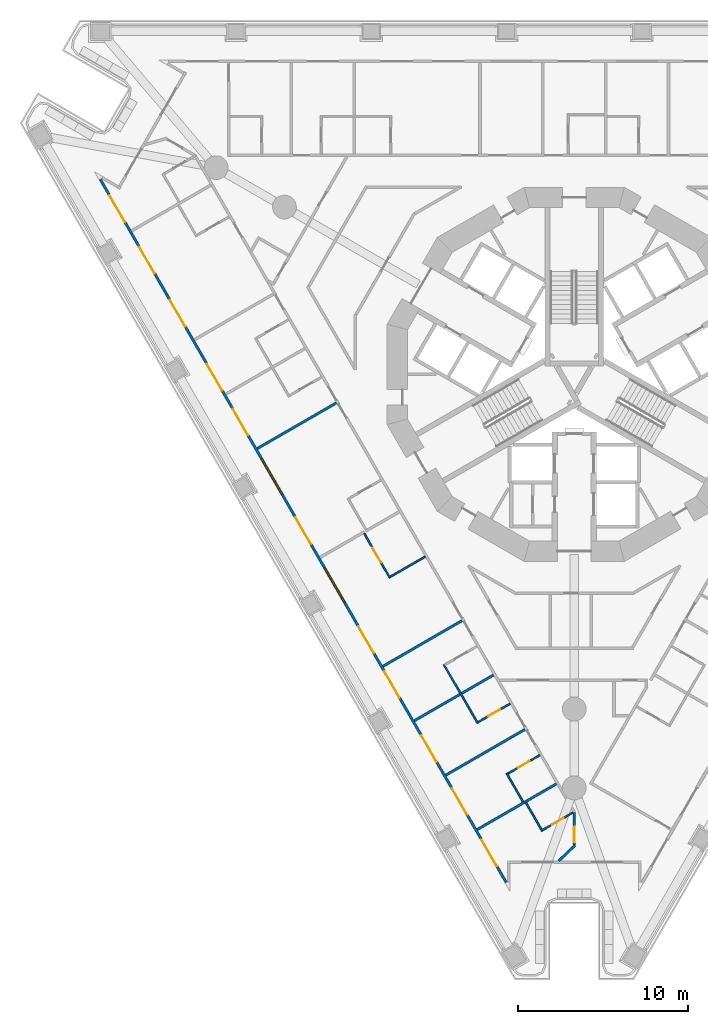
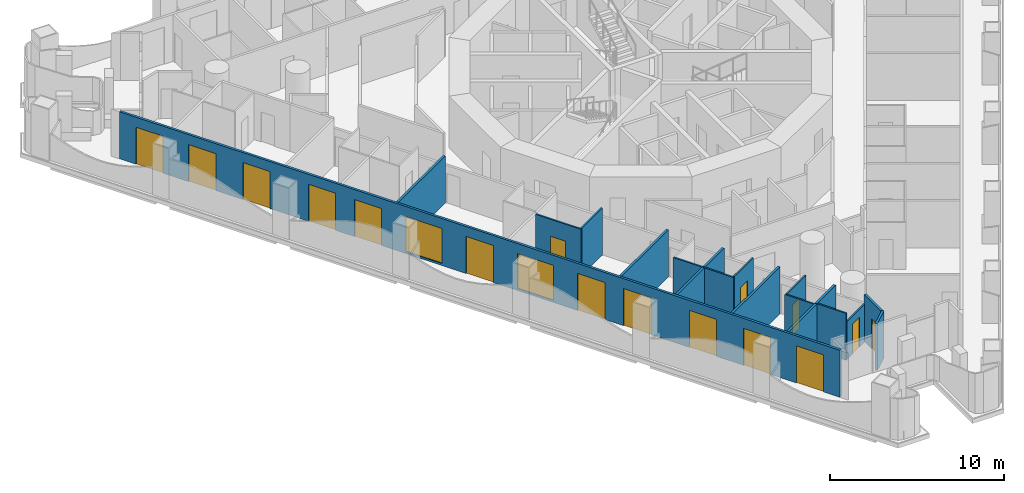
# One storey, part 2 of 20: 17 walls, 16 doors, 2 windows, 18 openings.
"""IFC4 building model written with IfcOpenShell, lengths in metres."""

from ifc_helpers import new_model, si_unit, direction, frame, frame_2d, origin, place, context, subcontext, project, spatial, polyline, rectangle, outline, extrude, material, layer, layer_set, type_object, element, fill, save


model = new_model("IFC4")

# Units and contexts
model_context = context("Model", 3, precision=1e-05, world=origin(), true_north=direction((0.0, 1.0)))
body_context = subcontext(model_context, "Body", "Model", "MODEL_VIEW")
ifc_project = project(units=[si_unit("LENGTHUNIT", "METRE"), si_unit("AREAUNIT", "SQUARE_METRE"), si_unit("VOLUMEUNIT", "CUBIC_METRE"), si_unit("PLANEANGLEUNIT", "RADIAN"), si_unit("MASSUNIT", "GRAM", prefix="KILO")], contexts=[model_context])

# Site, building, storey
site_placement = place(None, origin())
site = spatial("IfcSite", under=ifc_project, at=site_placement, CompositionType="ELEMENT")
building_placement = place(site_placement, origin())
building = spatial("IfcBuilding", under=site, at=building_placement, Name="Trine Commons Tower", CompositionType="ELEMENT")
storey_placement = place(building_placement, frame((0.0, 0.0, 35.10009765625)))
storey = spatial("IfcBuildingStorey", under=building, at=storey_placement, Name="L07", CompositionType="ELEMENT", Elevation=35.10009765625)

# Wall, openings, windows, doors
ifc_material_1 = material(Name="Aluminium-framed insulated wall panel", Category="aluminium")
ifc_layer_1 = layer(ifc_material_1, 0.14990234375)
ifc_layer_set_1 = layer_set([ifc_layer_1], Name="Aluminium-framed insulated wall panel")
wall_type_1 = type_object("IfcWallType", Name="Glazed frame wall 150, EI 60", PredefinedType="SOLIDWALL", material=ifc_layer_set_1)
wall_1_placement = place(storey_placement, frame((76.069580078125, 32.46826171875, 0.0), z_axis=(0.0, 0.0, 1.0), x_axis=(-0.499998600735, 0.866026211649, 0.0)))
wall_1 = element("IfcWall", 1, at=wall_1_placement, inside=storey, type_object=wall_type_1, Name="Glazed frame wall F3", PredefinedType="SOLIDWALL", context=body_context, shape_type="SweptSolid", body=[
    extrude(outline(polyline([(0.1494140625, 0.074951171875), (0.1494140625, -0.074951171875), (47.93701171875, -0.074951171875), (47.93701171875, 0.074951171875), (0.1494140625, 0.074951171875)])), origin(), (0.0, 0.0, 1.0), 3.2998046875),
])
opening_1_placement = place(wall_1_placement, frame((1.24951171875, 0.0, 0.0)))
opening_1 = element("IfcOpeningElement", 2, at=opening_1_placement, cuts=wall_1, Name="Opening BD-1F3-01", PredefinedType="OPENING", context=body_context, shape_type="SweptSolid", body=[
    extrude(rectangle(XDim=1.800048828125, YDim=2.60009765625, at=frame_2d((0.89990234375, 1.300048828125))), frame((0.0, 0.0849609375, 0.0), z_axis=(0.0, -1.0, 0.0), x_axis=(1.0, 0.0, 0.0)), (0.0, 0.0, 1.0), 0.169921875),
])
opening_2_placement = place(wall_1_placement, frame((4.748291015625, 0.0, 0.0)))
opening_2 = element("IfcOpeningElement", 3, at=opening_2_placement, cuts=wall_1, Name="Opening BD-1F3-02", PredefinedType="OPENING", context=body_context, shape_type="SweptSolid", body=[
    extrude(rectangle(XDim=1.800048828125, YDim=2.60009765625, at=frame_2d((0.89990234375, 1.300048828125))), frame((0.0, 0.0849609375, 0.0), z_axis=(0.0, -1.0, 0.0), x_axis=(1.0, 0.0, 0.0)), (0.0, 0.0, 1.0), 0.169921875),
])
opening_3_placement = place(wall_1_placement, frame((8.347412109375, 0.0, 0.0)))
opening_3 = element("IfcOpeningElement", 4, at=opening_3_placement, cuts=wall_1, Name="Opening BD-1F3-03", PredefinedType="OPENING", context=body_context, shape_type="SweptSolid", body=[
    extrude(rectangle(XDim=1.800048828125, YDim=2.60009765625, at=frame_2d((0.89990234375, 1.300048828125))), frame((0.0, 0.0849609375, 0.0), z_axis=(0.0, -1.0, 0.0), x_axis=(1.0, 0.0, 0.0)), (0.0, 0.0, 1.0), 0.169921875),
])
opening_4_placement = place(wall_1_placement, frame((12.69580078125, 0.0, 0.0)))
opening_4 = element("IfcOpeningElement", 5, at=opening_4_placement, cuts=wall_1, Name="Opening BD-1F3-04", PredefinedType="OPENING", context=body_context, shape_type="SweptSolid", body=[
    extrude(rectangle(XDim=1.800048828125, YDim=2.60009765625, at=frame_2d((0.89990234375, 1.300048828125))), frame((0.0, 0.0849609375, 0.0), z_axis=(0.0, -1.0, 0.0), x_axis=(1.0, 0.0, 0.0)), (0.0, 0.0, 1.0), 0.169921875),
])
opening_5_placement = place(wall_1_placement, frame((15.7451171875, 0.0, 0.0)))
opening_5 = element("IfcOpeningElement", 6, at=opening_5_placement, cuts=wall_1, Name="Opening BD-1F3-05", PredefinedType="OPENING", context=body_context, shape_type="SweptSolid", body=[
    extrude(rectangle(XDim=1.800048828125, YDim=2.60009765625, at=frame_2d((0.89990234375, 1.300048828125))), frame((0.0, 0.0849609375, 0.0), z_axis=(0.0, -1.0, 0.0), x_axis=(1.0, 0.0, 0.0)), (0.0, 0.0, 1.0), 0.169921875),
])
opening_6_placement = place(wall_1_placement, frame((19.14404296875, 0.0, 0.14990234375)))
opening_6 = element("IfcOpeningElement", 7, at=opening_6_placement, cuts=wall_1, Name="Opening W-1F3-06", PredefinedType="OPENING", context=body_context, shape_type="SweptSolid", body=[
    extrude(rectangle(XDim=2.39990234375, YDim=2.449951171875, at=frame_2d((1.199951171875, 1.22509765625))), frame((0.0, 0.0849609375, 0.0), z_axis=(0.0, -1.0, 0.0), x_axis=(1.0, 0.0, 0.0)), (0.0, 0.0, 1.0), 0.169921875),
])
opening_7_placement = place(wall_1_placement, frame((23.142822265625, 0.0, 0.0)))
opening_7 = element("IfcOpeningElement", 8, at=opening_7_placement, cuts=wall_1, Name="Opening BD-1F3-07", PredefinedType="OPENING", context=body_context, shape_type="SweptSolid", body=[
    extrude(rectangle(XDim=1.800048828125, YDim=2.60009765625, at=frame_2d((0.89990234375, 1.300048828125))), frame((0.0, 0.0849609375, 0.0), z_axis=(0.0, -1.0, 0.0), x_axis=(1.0, 0.0, 0.0)), (0.0, 0.0, 1.0), 0.169921875),
])
opening_8_placement = place(wall_1_placement, frame((26.541748046875, 0.0, 0.14990234375)))
opening_8 = element("IfcOpeningElement", 9, at=opening_8_placement, cuts=wall_1, Name="Opening W-1F3-08", PredefinedType="OPENING", context=body_context, shape_type="SweptSolid", body=[
    extrude(rectangle(XDim=2.39990234375, YDim=2.449951171875, at=frame_2d((1.199951171875, 1.22509765625))), frame((0.0, 0.0849609375, 0.0), z_axis=(0.0, -1.0, 0.0), x_axis=(1.0, 0.0, 0.0)), (0.0, 0.0, 1.0), 0.169921875),
])
opening_9_placement = place(wall_1_placement, frame((30.54052734375, 0.0, 0.0)))
opening_9 = element("IfcOpeningElement", 10, at=opening_9_placement, cuts=wall_1, Name="Opening BD-1F3-09", PredefinedType="OPENING", context=body_context, shape_type="SweptSolid", body=[
    extrude(rectangle(XDim=1.800048828125, YDim=2.60009765625, at=frame_2d((0.89990234375, 1.300048828125))), frame((0.0, 0.0849609375, 0.0), z_axis=(0.0, -1.0, 0.0), x_axis=(1.0, 0.0, 0.0)), (0.0, 0.0, 1.0), 0.169921875),
])
opening_10_placement = place(wall_1_placement, frame((33.590087890625, 0.0, 0.0)))
opening_10 = element("IfcOpeningElement", 11, at=opening_10_placement, cuts=wall_1, Name="Opening BD-1F3-10", PredefinedType="OPENING", context=body_context, shape_type="SweptSolid", body=[
    extrude(rectangle(XDim=1.800048828125, YDim=2.60009765625, at=frame_2d((0.89990234375, 1.300048828125))), frame((0.0, 0.0849609375, 0.0), z_axis=(0.0, -1.0, 0.0), x_axis=(1.0, 0.0, 0.0)), (0.0, 0.0, 1.0), 0.169921875),
])
opening_11_placement = place(wall_1_placement, frame((37.9384765625, 0.0, 0.0)))
opening_11 = element("IfcOpeningElement", 12, at=opening_11_placement, cuts=wall_1, Name="Opening BD-1F3-11", PredefinedType="OPENING", context=body_context, shape_type="SweptSolid", body=[
    extrude(rectangle(XDim=1.800048828125, YDim=2.60009765625, at=frame_2d((0.89990234375, 1.300048828125))), frame((0.0, 0.0849609375, 0.0), z_axis=(0.0, -1.0, 0.0), x_axis=(1.0, 0.0, 0.0)), (0.0, 0.0, 1.0), 0.169921875),
])
opening_12_placement = place(wall_1_placement, frame((41.537353515625, 0.0, 0.0)))
opening_12 = element("IfcOpeningElement", 13, at=opening_12_placement, cuts=wall_1, Name="Opening BD-1F3-12", PredefinedType="OPENING", context=body_context, shape_type="SweptSolid", body=[
    extrude(rectangle(XDim=1.800048828125, YDim=2.60009765625, at=frame_2d((0.89990234375, 1.300048828125))), frame((0.0, 0.0849609375, 0.0), z_axis=(0.0, -1.0, 0.0), x_axis=(1.0, 0.0, 0.0)), (0.0, 0.0, 1.0), 0.169921875),
])
opening_13_placement = place(wall_1_placement, frame((45.036376953125, 0.0, 0.0)))
opening_13 = element("IfcOpeningElement", 14, at=opening_13_placement, cuts=wall_1, Name="Opening BD-1F3-13", PredefinedType="OPENING", context=body_context, shape_type="SweptSolid", body=[
    extrude(rectangle(XDim=1.800048828125, YDim=2.60009765625, at=frame_2d((0.89990234375, 1.300048828125))), frame((0.0, 0.0849609375, 0.0), z_axis=(0.0, -1.0, 0.0), x_axis=(1.0, 0.0, 0.0)), (0.0, 0.0, 1.0), 0.169921875),
])
ifc_material_2 = material(Name="Anodised aluminium frame with double glazing", Category="aluminium")
window_type = type_object("IfcWindowType", Name="Fixed window 2400x2450", PartitioningType="SINGLE_PANEL", PredefinedType="WINDOW", material=ifc_material_2)
window_1_placement = place(opening_6_placement, origin())
window_1 = element("IfcWindow", 15, at=window_1_placement, inside=storey, type_object=window_type, Name="Window F3 6", OverallHeight=2.449951171875, OverallWidth=2.39990234375, PartitioningType="SINGLE_PANEL", PredefinedType="WINDOW", context=body_context, shape_type="SweptSolid", body=[
    extrude(rectangle(XDim=2.39990234375, YDim=2.449951171875, at=frame_2d((1.199951171875, 1.22509765625))), frame((0.0, 0.030029296875, 0.0), z_axis=(0.0, -1.0, 0.0), x_axis=(1.0, 0.0, 0.0)), (0.0, 0.0, 1.0), 0.06005859375),
])
fill(opening_6, window_1)
window_2_placement = place(opening_8_placement, origin())
window_2 = element("IfcWindow", 16, at=window_2_placement, inside=storey, type_object=window_type, Name="Window F3 8", OverallHeight=2.449951171875, OverallWidth=2.39990234375, PartitioningType="SINGLE_PANEL", PredefinedType="WINDOW", context=body_context, shape_type="SweptSolid", body=[
    extrude(rectangle(XDim=2.39990234375, YDim=2.449951171875, at=frame_2d((1.199951171875, 1.22509765625))), frame((0.0, 0.030029296875, 0.0), z_axis=(0.0, -1.0, 0.0), x_axis=(1.0, 0.0, 0.0)), (0.0, 0.0, 1.0), 0.06005859375),
])
fill(opening_8, window_2)
door_type_1 = type_object("IfcDoorType", Name="Sliding loggia door 1800x2600", OperationType="SLIDING_TO_LEFT", PredefinedType="DOOR", material=ifc_material_2)
door_1_placement = place(opening_1_placement, origin())
door_1 = element("IfcDoor", 17, at=door_1_placement, inside=storey, type_object=door_type_1, Name="Loggia door F3 1", OperationType="SLIDING_TO_LEFT", OverallHeight=2.60009765625, OverallWidth=1.800048828125, PredefinedType="DOOR", context=body_context, shape_type="SweptSolid", body=[
    extrude(rectangle(XDim=1.800048828125, YDim=2.60009765625, at=frame_2d((0.89990234375, 1.300048828125))), frame((0.0, 0.02490234375, 0.0), z_axis=(0.0, -1.0, 0.0), x_axis=(1.0, 0.0, 0.0)), (0.0, 0.0, 1.0), 0.050048828125),
])
fill(opening_1, door_1)
door_2_placement = place(opening_2_placement, origin())
door_2 = element("IfcDoor", 18, at=door_2_placement, inside=storey, type_object=door_type_1, Name="Loggia door F3 2", OperationType="SLIDING_TO_LEFT", OverallHeight=2.60009765625, OverallWidth=1.800048828125, PredefinedType="DOOR", context=body_context, shape_type="SweptSolid", body=[
    extrude(rectangle(XDim=1.800048828125, YDim=2.60009765625, at=frame_2d((0.89990234375, 1.300048828125))), frame((0.0, 0.02490234375, 0.0), z_axis=(0.0, -1.0, 0.0), x_axis=(1.0, 0.0, 0.0)), (0.0, 0.0, 1.0), 0.050048828125),
])
fill(opening_2, door_2)
door_3_placement = place(opening_3_placement, origin())
door_3 = element("IfcDoor", 19, at=door_3_placement, inside=storey, type_object=door_type_1, Name="Loggia door F3 3", OperationType="SLIDING_TO_LEFT", OverallHeight=2.60009765625, OverallWidth=1.800048828125, PredefinedType="DOOR", context=body_context, shape_type="SweptSolid", body=[
    extrude(rectangle(XDim=1.800048828125, YDim=2.60009765625, at=frame_2d((0.89990234375, 1.300048828125))), frame((0.0, 0.02490234375, 0.0), z_axis=(0.0, -1.0, 0.0), x_axis=(1.0, 0.0, 0.0)), (0.0, 0.0, 1.0), 0.050048828125),
])
fill(opening_3, door_3)
door_4_placement = place(opening_4_placement, origin())
door_4 = element("IfcDoor", 20, at=door_4_placement, inside=storey, type_object=door_type_1, Name="Loggia door F3 4", OperationType="SLIDING_TO_LEFT", OverallHeight=2.60009765625, OverallWidth=1.800048828125, PredefinedType="DOOR", context=body_context, shape_type="SweptSolid", body=[
    extrude(rectangle(XDim=1.800048828125, YDim=2.60009765625, at=frame_2d((0.89990234375, 1.300048828125))), frame((0.0, 0.02490234375, 0.0), z_axis=(0.0, -1.0, 0.0), x_axis=(1.0, 0.0, 0.0)), (0.0, 0.0, 1.0), 0.050048828125),
])
fill(opening_4, door_4)
door_5_placement = place(opening_5_placement, origin())
door_5 = element("IfcDoor", 21, at=door_5_placement, inside=storey, type_object=door_type_1, Name="Loggia door F3 5", OperationType="SLIDING_TO_LEFT", OverallHeight=2.60009765625, OverallWidth=1.800048828125, PredefinedType="DOOR", context=body_context, shape_type="SweptSolid", body=[
    extrude(rectangle(XDim=1.800048828125, YDim=2.60009765625, at=frame_2d((0.89990234375, 1.300048828125))), frame((0.0, 0.02490234375, 0.0), z_axis=(0.0, -1.0, 0.0), x_axis=(1.0, 0.0, 0.0)), (0.0, 0.0, 1.0), 0.050048828125),
])
fill(opening_5, door_5)
door_6_placement = place(opening_7_placement, origin())
door_6 = element("IfcDoor", 22, at=door_6_placement, inside=storey, type_object=door_type_1, Name="Loggia door F3 7", OperationType="SLIDING_TO_LEFT", OverallHeight=2.60009765625, OverallWidth=1.800048828125, PredefinedType="DOOR", context=body_context, shape_type="SweptSolid", body=[
    extrude(rectangle(XDim=1.800048828125, YDim=2.60009765625, at=frame_2d((0.89990234375, 1.300048828125))), frame((0.0, 0.02490234375, 0.0), z_axis=(0.0, -1.0, 0.0), x_axis=(1.0, 0.0, 0.0)), (0.0, 0.0, 1.0), 0.050048828125),
])
fill(opening_7, door_6)
door_7_placement = place(opening_9_placement, origin())
door_7 = element("IfcDoor", 23, at=door_7_placement, inside=storey, type_object=door_type_1, Name="Loggia door F3 9", OperationType="SLIDING_TO_LEFT", OverallHeight=2.60009765625, OverallWidth=1.800048828125, PredefinedType="DOOR", context=body_context, shape_type="SweptSolid", body=[
    extrude(rectangle(XDim=1.800048828125, YDim=2.60009765625, at=frame_2d((0.89990234375, 1.300048828125))), frame((0.0, 0.02490234375, 0.0), z_axis=(0.0, -1.0, 0.0), x_axis=(1.0, 0.0, 0.0)), (0.0, 0.0, 1.0), 0.050048828125),
])
fill(opening_9, door_7)
door_8_placement = place(opening_10_placement, origin())
door_8 = element("IfcDoor", 24, at=door_8_placement, inside=storey, type_object=door_type_1, Name="Loggia door F3 10", OperationType="SLIDING_TO_LEFT", OverallHeight=2.60009765625, OverallWidth=1.800048828125, PredefinedType="DOOR", context=body_context, shape_type="SweptSolid", body=[
    extrude(rectangle(XDim=1.800048828125, YDim=2.60009765625, at=frame_2d((0.89990234375, 1.300048828125))), frame((0.0, 0.02490234375, 0.0), z_axis=(0.0, -1.0, 0.0), x_axis=(1.0, 0.0, 0.0)), (0.0, 0.0, 1.0), 0.050048828125),
])
fill(opening_10, door_8)
door_9_placement = place(opening_11_placement, origin())
door_9 = element("IfcDoor", 25, at=door_9_placement, inside=storey, type_object=door_type_1, Name="Loggia door F3 11", OperationType="SLIDING_TO_LEFT", OverallHeight=2.60009765625, OverallWidth=1.800048828125, PredefinedType="DOOR", context=body_context, shape_type="SweptSolid", body=[
    extrude(rectangle(XDim=1.800048828125, YDim=2.60009765625, at=frame_2d((0.89990234375, 1.300048828125))), frame((0.0, 0.02490234375, 0.0), z_axis=(0.0, -1.0, 0.0), x_axis=(1.0, 0.0, 0.0)), (0.0, 0.0, 1.0), 0.050048828125),
])
fill(opening_11, door_9)
door_10_placement = place(opening_12_placement, origin())
door_10 = element("IfcDoor", 26, at=door_10_placement, inside=storey, type_object=door_type_1, Name="Loggia door F3 12", OperationType="SLIDING_TO_LEFT", OverallHeight=2.60009765625, OverallWidth=1.800048828125, PredefinedType="DOOR", context=body_context, shape_type="SweptSolid", body=[
    extrude(rectangle(XDim=1.800048828125, YDim=2.60009765625, at=frame_2d((0.89990234375, 1.300048828125))), frame((0.0, 0.02490234375, 0.0), z_axis=(0.0, -1.0, 0.0), x_axis=(1.0, 0.0, 0.0)), (0.0, 0.0, 1.0), 0.050048828125),
])
fill(opening_12, door_10)
door_11_placement = place(opening_13_placement, origin())
door_11 = element("IfcDoor", 27, at=door_11_placement, inside=storey, type_object=door_type_1, Name="Loggia door F3 13", OperationType="SLIDING_TO_LEFT", OverallHeight=2.60009765625, OverallWidth=1.800048828125, PredefinedType="DOOR", context=body_context, shape_type="SweptSolid", body=[
    extrude(rectangle(XDim=1.800048828125, YDim=2.60009765625, at=frame_2d((0.89990234375, 1.300048828125))), frame((0.0, 0.02490234375, 0.0), z_axis=(0.0, -1.0, 0.0), x_axis=(1.0, 0.0, 0.0)), (0.0, 0.0, 1.0), 0.050048828125),
])
fill(opening_13, door_11)

# Walls
ifc_material_3 = material(Name="Gypsum plasterboard on steel stud", Category="steel")
ifc_layer_2 = layer(ifc_material_3, 0.14990234375)
ifc_layer_set_2 = layer_set([ifc_layer_2], Name="Gypsum plasterboard on steel stud")
wall_type_2 = type_object("IfcWallType", Name="Unit and corridor wall 150 mm, EI 60", PredefinedType="PARTITIONING", material=ifc_layer_set_2)
for number, where, z_axis, x_axis, name in (
    (28, (61.338623046875, 58.133056640625, 0.0), (0.0, 0.0, 1.0), (0.866057962423, 0.499943602543, 0.0), "Partition 019"),
    (29, (68.736572265625, 45.319091796875, 0.0), (0.0, 0.0, 1.0), (0.866057962423, 0.499943602543, 0.0), "Partition 043"),
):
    element("IfcWall", number, at=place(storey_placement, frame(where, z_axis=z_axis, x_axis=x_axis)), inside=storey, type_object=wall_type_2, Name=name, PredefinedType="PARTITIONING", context=body_context, shape_type="SweptSolid", body=[
        extrude(rectangle(XDim=5.38330078125, YDim=0.14990234375, at=frame_2d((2.691650390625, 0.0))), origin(), (0.0, 0.0, 1.0), 3.2998046875),
    ])
wall_2_placement = place(storey_placement, frame((70.586669921875, 42.115966796875, 0.0), z_axis=(0.0, 0.0, 1.0), x_axis=(0.865992970276, 0.500056172277, 0.0)))
element("IfcWall", 30, at=wall_2_placement, inside=storey, type_object=wall_type_2, Name="Partition 046", PredefinedType="PARTITIONING", context=body_context, shape_type="SweptSolid", body=[
    extrude(rectangle(XDim=5.3828125, YDim=0.14990234375, at=frame_2d((2.69140625, 0.0))), origin(), (0.0, 0.0, 1.0), 3.2998046875),
])
wall_3_placement = place(storey_placement, frame((72.435546875, 38.912109375, 0.0), z_axis=(0.0, 0.0, 1.0), x_axis=(0.86599075498, 0.500060008688, 0.0)))
element("IfcWall", 31, at=wall_3_placement, inside=storey, type_object=wall_type_2, Name="Partition 050", PredefinedType="PARTITIONING", context=body_context, shape_type="SweptSolid", body=[
    extrude(rectangle(XDim=5.384033203125, YDim=0.14990234375, at=frame_2d((2.69189453125, 0.0))), origin(), (0.0, 0.0, 1.0), 3.2998046875),
])
wall_4_placement = place(storey_placement, frame((74.28564453125, 35.708984375, 0.0), z_axis=(0.0, 0.0, 1.0), x_axis=(0.865960198283, 0.500112922239, 0.0)))
element("IfcWall", 32, at=wall_4_placement, inside=storey, type_object=wall_type_2, Name="Partition 053", PredefinedType="PARTITIONING", context=body_context, shape_type="SweptSolid", body=[
    extrude(rectangle(XDim=3.211181640625, YDim=0.14990234375, at=frame_2d((1.60546875, 0.0))), origin(), (0.0, 0.0, 1.0), 3.2998046875),
])
wall_5_placement = place(storey_placement, frame((77.080810546875, 37.322998046875, 0.0), z_axis=(0.0, 0.0, 1.0), x_axis=(0.866038426532, 0.499977443261, 0.0)))
element("IfcWall", 33, at=wall_5_placement, inside=storey, type_object=wall_type_2, Name="Partition 062", PredefinedType="PARTITIONING", context=body_context, shape_type="SweptSolid", body=[
    extrude(rectangle(XDim=2.15478515625, YDim=0.14990234375, at=frame_2d((1.077392578125, 0.0))), origin(), (0.0, 0.0, 1.0), 3.2998046875),
])
wall_6_placement = place(storey_placement, frame((79.078857421875, 33.857666015625, 0.0), z_axis=(0.0, 0.0, 1.0), x_axis=(0.722940474112, 0.69091032044, 0.0)))
element("IfcWall", 34, at=wall_6_placement, inside=storey, type_object=wall_type_2, Name="Partition 066", PredefinedType="PARTITIONING", context=body_context, shape_type="SweptSolid", body=[
    extrude(rectangle(XDim=1.34912109375, YDim=0.14990234375, at=frame_2d((0.674560546875, 0.0))), origin(), (0.0, 0.0, 1.0), 3.2998046875),
])

# Wall, opening, door
wall_7_placement = place(storey_placement, frame((80.0, 34.81298828125, 0.0), z_axis=(0.0, 0.0, 1.0), x_axis=(0.0, 1.0, 0.0)))
wall_7 = element("IfcWall", 35, at=wall_7_placement, inside=storey, type_object=wall_type_2, Name="Partition 069", PredefinedType="PARTITIONING", context=body_context, shape_type="SweptSolid", body=[
    extrude(rectangle(XDim=1.9140625, YDim=0.14990234375, at=frame_2d((0.95703125, 0.0))), origin(), (0.0, 0.0, 1.0), 3.2998046875),
])
opening_14_placement = place(wall_7_placement, frame((0.14990234375, 0.0, 0.0)))
opening_14 = element("IfcOpeningElement", 36, at=opening_14_placement, cuts=wall_7, Name="Opening D-1A24", PredefinedType="OPENING", context=body_context, shape_type="SweptSolid", body=[
    extrude(rectangle(XDim=0.89990234375, YDim=2.10009765625, at=frame_2d((0.449951171875, 1.050048828125))), frame((0.0, 0.0849609375, 0.0), z_axis=(0.0, -1.0, 0.0), x_axis=(1.0, 0.0, 0.0)), (0.0, 0.0, 1.0), 0.169921875),
])
ifc_material_4 = material(Name="Timber fire door set", Category="wood")
door_type_2 = type_object("IfcDoorType", Name="Bedroom door 900 x 2100, FD30S", OperationType="NOTDEFINED", PredefinedType="DOOR", material=ifc_material_4)
door_12_placement = place(opening_14_placement, origin())
door_12 = element("IfcDoor", 37, at=door_12_placement, inside=storey, type_object=door_type_2, Name="Door D-1A24", OperationType="SINGLE_SWING_LEFT", OverallHeight=2.10009765625, OverallWidth=0.89990234375, PredefinedType="DOOR", context=body_context, shape_type="SweptSolid", body=[
    extrude(rectangle(XDim=0.89990234375, YDim=2.10009765625, at=frame_2d((0.449951171875, 1.050048828125))), frame((0.0, 0.02490234375, 0.0), z_axis=(0.0, -1.0, 0.0), x_axis=(1.0, 0.0, 0.0)), (0.0, 0.0, 1.0), 0.050048828125),
])
fill(opening_14, door_12)

ifc_layer_3 = layer(ifc_material_3, 0.10009765625)
ifc_layer_set_3 = layer_set([ifc_layer_3], Name="Gypsum plasterboard on steel stud")
wall_type_3 = type_object("IfcWallType", Name="Unit partition 100 mm, no rating", PredefinedType="PARTITIONING", material=ifc_layer_set_3)
wall_8_placement = place(storey_placement, frame((67.637451171875, 53.139892578125, 0.0), z_axis=(0.0, 0.0, 1.0), x_axis=(0.49993202411, -0.866064646126, 0.0)))
wall_8 = element("IfcWall", 38, at=wall_8_placement, inside=storey, type_object=wall_type_3, Name="Partition 040", PredefinedType="PARTITIONING", context=body_context, shape_type="SweptSolid", body=[
    extrude(rectangle(XDim=3.025390625, YDim=0.10009765625, at=frame_2d((1.5126953125, 0.0))), origin(), (0.0, 0.0, 1.0), 3.2998046875),
])
opening_15_placement = place(wall_8_placement, frame((0.98779296875, 0.0, 0.0)))
opening_15 = element("IfcOpeningElement", 39, at=opening_15_placement, cuts=wall_8, Name="Opening D-1A60", PredefinedType="OPENING", context=body_context, shape_type="SweptSolid", body=[
    extrude(rectangle(XDim=1.0, YDim=2.10009765625, at=frame_2d((0.5, 1.050048828125))), frame((0.0, 0.06005859375, 0.0), z_axis=(0.0, -1.0, 0.0), x_axis=(1.0, 0.0, 0.0)), (0.0, 0.0, 1.0), 0.1201171875),
])
ifc_material_5 = material(Name="Painted timber", Category="wood")
door_type_3 = type_object("IfcDoorType", Name="Internal door 1000 x 2100, NOT RATED", OperationType="NOTDEFINED", PredefinedType="DOOR", material=ifc_material_5)
door_13_placement = place(opening_15_placement, frame((1.0, 0.0, 0.0), z_axis=(0.0, 0.0, 1.0), x_axis=(-1.0, 0.0, 0.0)))
door_13 = element("IfcDoor", 40, at=door_13_placement, inside=storey, type_object=door_type_3, Name="Door D-1A60", OperationType="SINGLE_SWING_RIGHT", OverallHeight=2.10009765625, OverallWidth=1.0, PredefinedType="DOOR", context=body_context, shape_type="SweptSolid", body=[
    extrude(rectangle(XDim=1.0, YDim=2.10009765625, at=frame_2d((0.5, 1.050048828125))), frame((0.0, 0.02490234375, 0.0), z_axis=(0.0, -1.0, 0.0), x_axis=(1.0, 0.0, 0.0)), (0.0, 0.0, 1.0), 0.050048828125),
])
fill(opening_15, door_13)

# Walls
wall_9_placement = place(storey_placement, frame((69.168212890625, 50.587890625, 0.0), z_axis=(0.0, 0.0, 1.0), x_axis=(0.866033238375, 0.499986429846, 0.0)))
element("IfcWall", 41, at=wall_9_placement, inside=storey, type_object=wall_type_3, Name="Partition 044", PredefinedType="PARTITIONING", context=body_context, shape_type="SweptSolid", body=[
    extrude(rectangle(XDim=2.375, YDim=0.10009765625, at=frame_2d((1.1875, 0.0))), origin(), (0.0, 0.0, 1.0), 3.2998046875),
])
wall_10_placement = place(storey_placement, frame((72.321044921875, 45.42724609375, 0.0), z_axis=(0.0, 0.0, 1.0), x_axis=(0.499946095386, -0.866056523391, 0.0)))
element("IfcWall", 42, at=wall_10_placement, inside=storey, type_object=wall_type_3, Name="Partition 048", PredefinedType="PARTITIONING", context=body_context, shape_type="SweptSolid", body=[
    extrude(rectangle(XDim=4.00048828125, YDim=0.10009765625, at=frame_2d((2.000244140625, 0.0))), origin(), (0.0, 0.0, 1.0), 3.2998046875),
])

# Wall, opening, door
wall_11_placement = place(storey_placement, frame((74.33935546875, 42.031005859375, 0.0), z_axis=(0.0, 0.0, 1.0), x_axis=(0.866037911478, 0.499978335414, 0.0)))
wall_11 = element("IfcWall", 43, at=wall_11_placement, inside=storey, type_object=wall_type_3, Name="Partition 054", PredefinedType="PARTITIONING", context=body_context, shape_type="SweptSolid", body=[
    extrude(rectangle(XDim=2.1748046875, YDim=0.10009765625, at=frame_2d((1.08740234375, 0.0))), origin(), (0.0, 0.0, 1.0), 3.2998046875),
])
opening_16_placement = place(wall_11_placement, frame((0.6875, 0.0, 0.0)))
opening_16 = element("IfcOpeningElement", 44, at=opening_16_placement, cuts=wall_11, Name="Opening D-1A58", PredefinedType="OPENING", context=body_context, shape_type="SweptSolid", body=[
    extrude(rectangle(XDim=0.800048828125, YDim=2.10009765625, at=frame_2d((0.39990234375, 1.050048828125))), frame((0.0, 0.06005859375, 0.0), z_axis=(0.0, -1.0, 0.0), x_axis=(1.0, 0.0, 0.0)), (0.0, 0.0, 1.0), 0.1201171875),
])
door_type_4 = type_object("IfcDoorType", Name="Internal door 800 x 2100, NOT RATED", OperationType="NOTDEFINED", PredefinedType="DOOR", material=ifc_material_5)
door_14_placement = place(opening_16_placement, frame((0.800048828125, 0.0, 0.0), z_axis=(0.0, 0.0, 1.0), x_axis=(-1.0, 0.0, 0.0)))
door_14 = element("IfcDoor", 45, at=door_14_placement, inside=storey, type_object=door_type_4, Name="Door D-1A58", OperationType="SINGLE_SWING_LEFT", OverallHeight=2.10009765625, OverallWidth=0.800048828125, PredefinedType="DOOR", context=body_context, shape_type="SweptSolid", body=[
    extrude(rectangle(XDim=0.800048828125, YDim=2.10009765625, at=frame_2d((0.39990234375, 1.050048828125))), frame((0.0, 0.02490234375, 0.0), z_axis=(0.0, -1.0, 0.0), x_axis=(1.0, 0.0, 0.0)), (0.0, 0.0, 1.0), 0.050048828125),
])
fill(opening_16, door_14)

# Wall
wall_12_placement = place(storey_placement, frame((76.02001953125, 39.020263671875, 0.0), z_axis=(0.0, 0.0, 1.0), x_axis=(0.499931040243, -0.866065214058, 0.0)))
element("IfcWall", 46, at=wall_12_placement, inside=storey, type_object=wall_type_3, Name="Partition 057", PredefinedType="PARTITIONING", context=body_context, shape_type="SweptSolid", body=[
    extrude(rectangle(XDim=1.925048828125, YDim=0.10009765625, at=frame_2d((0.96240234375, 0.0))), origin(), (0.0, 0.0, 1.0), 3.2998046875),
])

# Wall, opening, door
wall_13_placement = place(storey_placement, frame((76.08837890625, 39.001953125, 0.0), z_axis=(0.0, 0.0, 1.0), x_axis=(0.865989304205, 0.500062521093, 0.0)))
wall_13 = element("IfcWall", 47, at=wall_13_placement, inside=storey, type_object=wall_type_3, Name="Partition 058", PredefinedType="PARTITIONING", context=body_context, shape_type="SweptSolid", body=[
    extrude(rectangle(XDim=2.175048828125, YDim=0.10009765625, at=frame_2d((1.08740234375, 0.0))), origin(), (0.0, 0.0, 1.0), 3.2998046875),
])
opening_17_placement = place(wall_13_placement, frame((0.6875, 0.0, 0.0)))
opening_17 = element("IfcOpeningElement", 48, at=opening_17_placement, cuts=wall_13, Name="Opening D-1A57", PredefinedType="OPENING", context=body_context, shape_type="SweptSolid", body=[
    extrude(rectangle(XDim=0.800048828125, YDim=2.10009765625, at=frame_2d((0.39990234375, 1.050048828125))), frame((0.0, 0.06005859375, 0.0), z_axis=(0.0, -1.0, 0.0), x_axis=(1.0, 0.0, 0.0)), (0.0, 0.0, 1.0), 0.1201171875),
])
door_15_placement = place(opening_17_placement, origin())
door_15 = element("IfcDoor", 49, at=door_15_placement, inside=storey, type_object=door_type_4, Name="Door D-1A57", OperationType="SINGLE_SWING_RIGHT", OverallHeight=2.10009765625, OverallWidth=0.800048828125, PredefinedType="DOOR", context=body_context, shape_type="SweptSolid", body=[
    extrude(rectangle(XDim=0.800048828125, YDim=2.10009765625, at=frame_2d((0.39990234375, 1.050048828125))), frame((0.0, 0.02490234375, 0.0), z_axis=(0.0, -1.0, 0.0), x_axis=(1.0, 0.0, 0.0)), (0.0, 0.0, 1.0), 0.050048828125),
])
fill(opening_17, door_15)

# Wall
wall_14_placement = place(storey_placement, frame((77.16162109375, 37.282958984375, 0.0), z_axis=(0.0, 0.0, 1.0), x_axis=(0.499931040243, -0.866065214058, 0.0)))
element("IfcWall", 50, at=wall_14_placement, inside=storey, type_object=wall_type_3, Name="Partition 061", PredefinedType="PARTITIONING", context=body_context, shape_type="SweptSolid", body=[
    extrude(rectangle(XDim=1.925048828125, YDim=0.10009765625, at=frame_2d((0.96240234375, 0.0))), origin(), (0.0, 0.0, 1.0), 3.2998046875),
])

# Wall, opening, door
wall_15_placement = place(storey_placement, frame((78.142333984375, 35.68408203125, 0.0), z_axis=(0.0, 0.0, 1.0), x_axis=(0.866070848188, 0.499921279722, 0.0)))
wall_15 = element("IfcWall", 51, at=wall_15_placement, inside=storey, type_object=wall_type_3, Name="Partition 063", PredefinedType="PARTITIONING", context=body_context, shape_type="SweptSolid", body=[
    extrude(rectangle(XDim=2.054931640625, YDim=0.10009765625, at=frame_2d((1.02734375, 0.0))), origin(), (0.0, 0.0, 1.0), 2.64990234375),
])
opening_18_placement = place(wall_15_placement, frame((0.627685546875, 0.0, 0.0)))
opening_18 = element("IfcOpeningElement", 52, at=opening_18_placement, cuts=wall_15, Name="Opening D-1A56", PredefinedType="OPENING", context=body_context, shape_type="SweptSolid", body=[
    extrude(rectangle(XDim=0.800048828125, YDim=2.10009765625, at=frame_2d((0.39990234375, 1.050048828125))), frame((0.0, 0.06005859375, 0.0), z_axis=(0.0, -1.0, 0.0), x_axis=(1.0, 0.0, 0.0)), (0.0, 0.0, 1.0), 0.1201171875),
])
door_16_placement = place(opening_18_placement, frame((0.800048828125, 0.0, 0.0), z_axis=(0.0, 0.0, 1.0), x_axis=(-1.0, 0.0, 0.0)))
door_16 = element("IfcDoor", 53, at=door_16_placement, inside=storey, type_object=door_type_4, Name="Door D-1A56", OperationType="SINGLE_SWING_LEFT", OverallHeight=2.10009765625, OverallWidth=0.800048828125, PredefinedType="DOOR", context=body_context, shape_type="SweptSolid", body=[
    extrude(rectangle(XDim=0.800048828125, YDim=2.10009765625, at=frame_2d((0.39990234375, 1.050048828125))), frame((0.0, 0.02490234375, 0.0), z_axis=(0.0, -1.0, 0.0), x_axis=(1.0, 0.0, 0.0)), (0.0, 0.0, 1.0), 0.050048828125),
])
fill(opening_18, door_16)

save(model, "model.ifc")
